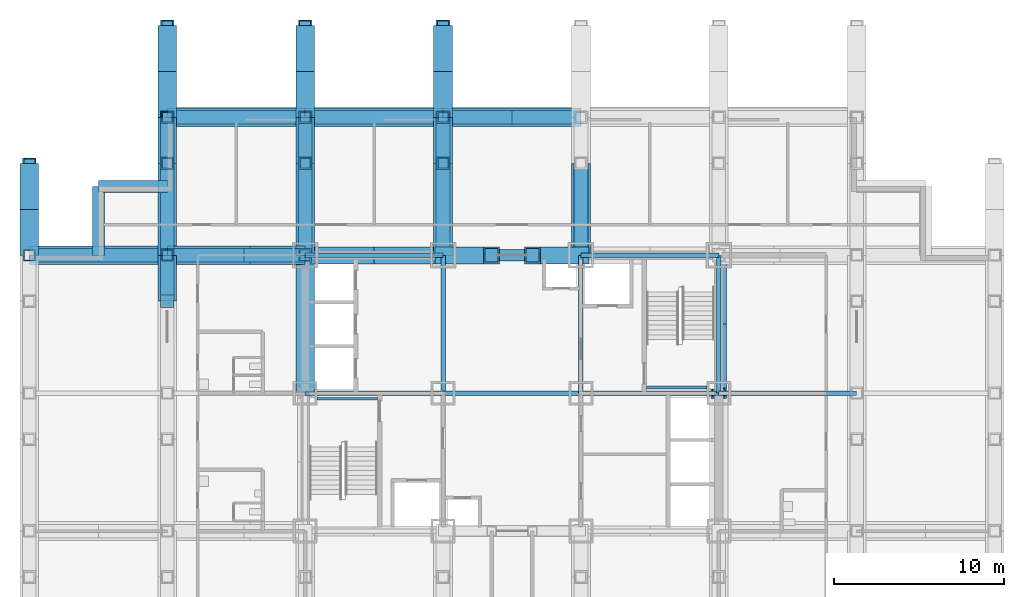
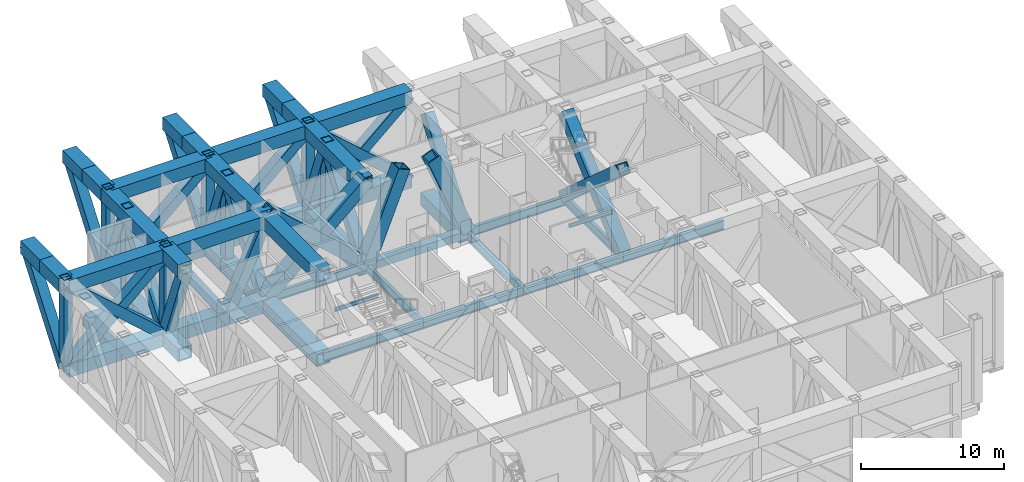
# One storey, part 5 of 13: 67 members, 14 beams.
"""IFC4 building model written with IfcOpenShell, lengths in metres."""

from ifc_helpers import new_model, si_unit, direction, frame, origin, origin_2d, place, context, subcontext, project, spatial, hollow_rectangle, i_section, extrude, material, material_profile, profile_set, type_object, element, save


model = new_model("IFC4")

# Units and contexts
model_context = context("Model", 3, precision=1e-05, world=origin(), true_north=direction((0.0, 1.0)))
body_context = subcontext(model_context, "Body", "Model", "MODEL_VIEW")
ifc_project = project(units=[si_unit("LENGTHUNIT", "METRE"), si_unit("AREAUNIT", "SQUARE_METRE"), si_unit("VOLUMEUNIT", "CUBIC_METRE"), si_unit("PLANEANGLEUNIT", "RADIAN"), si_unit("MASSUNIT", "GRAM", prefix="KILO")], contexts=[model_context])

# Site, building, storey
site_placement = place(None, origin())
site = spatial("IfcSite", under=ifc_project, at=site_placement, CompositionType="ELEMENT")
building_placement = place(site_placement, origin())
building = spatial("IfcBuilding", under=site, at=building_placement, Name="Kopane Lantern Tower", CompositionType="ELEMENT")
storey_placement = place(building_placement, frame((0.0, 0.0, 90.800048828125)))
storey = spatial("IfcBuildingStorey", under=building, at=storey_placement, Name="L23", CompositionType="ELEMENT", Elevation=90.800048828125)

# Members
ifc_material_1 = material(Name="Steel S355JR", Category="steel")
ifc_material_profile_1 = material_profile(ifc_material_1, hollow_rectangle(XDim=1.0, YDim=1.0, WallThickness=0.10009765625, at=origin_2d()), Name="BOX 1000x1000x100")
ifc_profile_set_1 = profile_set([ifc_material_profile_1], Name="Steel S355JR")
member_type_1 = type_object("IfcMemberType", Name="BRACE BOX 1000x1000x100", PredefinedType="BRACE", material=ifc_profile_set_1)
for number, where, z_axis, x_axis, name in (
    (1, (16.199951171875, 40.5, -0.25), (0.747415533118, 0.0, 0.664356847525), (0.0, 1.0, 0.0), "Core brace L23"),
    (2, (24.300048828125, 40.5, -0.25), (-0.747415533118, 0.0, 0.664356847525), (0.0, -1.0, 0.0), "Core brace L23"),
):
    element("IfcMember", number, at=place(storey_placement, frame(where, z_axis=z_axis, x_axis=x_axis)), inside=storey, type_object=member_type_1, Name=name, PredefinedType="BRACE", context=body_context, shape_type="SweptSolid", body=[
        extrude(hollow_rectangle(XDim=1.0, YDim=1.0, WallThickness=0.10009765625, at=origin_2d()), origin(), (0.0, 0.0, 1.0), 10.83740234375),
    ])
for number, where, z_axis, x_axis, name in (
    (3, (24.300048828125, 40.5, -0.25), (0.368034254187, 0.0, 0.929812232521), (0.0, 1.0, 0.0), "Core brace L23"),
    (4, (32.39990234375, 40.5, -0.25), (-0.368034254187, 0.0, 0.929812232521), (0.0, -1.0, 0.0), "Core brace L23"),
):
    element("IfcMember", number, at=place(storey_placement, frame(where, z_axis=z_axis, x_axis=x_axis)), inside=storey, type_object=member_type_1, Name=name, PredefinedType="BRACE", context=body_context, shape_type="SweptSolid", body=[
        extrude(hollow_rectangle(XDim=1.0, YDim=1.0, WallThickness=0.10009765625, at=origin_2d()), origin(), (0.0, 0.0, 1.0), 7.743408203125),
    ])
ifc_material_2 = material(Name="Steel S355JR", Category="steel")
ifc_material_profile_2 = material_profile(ifc_material_2, hollow_rectangle(XDim=0.89990234375, YDim=0.89990234375, WallThickness=0.090087890625, at=origin_2d()), Name="BOX 900x900x90")
ifc_profile_set_2 = profile_set([ifc_material_profile_2], Name="Steel S355JR")
member_type_2 = type_object("IfcMemberType", Name="BRACE BOX 900x900x90", PredefinedType="BRACE", material=ifc_profile_set_2)
for number, where, z_axis, x_axis, name in (
    (5, (40.5, 32.39990234375, -0.25), (0.0, 0.747415533118, 0.664356847525), (-1.0, 0.0, 0.0), "Core brace L23"),
    (6, (40.5, 40.5, -0.25), (0.0, -0.747415533118, 0.664356847525), (1.0, 0.0, 0.0), "Core brace L23"),
):
    element("IfcMember", number, at=place(storey_placement, frame(where, z_axis=z_axis, x_axis=x_axis)), inside=storey, type_object=member_type_2, Name=name, PredefinedType="BRACE", context=body_context, shape_type="SweptSolid", body=[
        extrude(hollow_rectangle(XDim=0.89990234375, YDim=0.89990234375, WallThickness=0.090087890625, at=origin_2d()), origin(), (0.0, 0.0, 1.0), 10.83740234375),
    ])

# Beams
ifc_material_3 = material(Name="Steel S355JR", Category="steel")
ifc_material_profile_3 = material_profile(ifc_material_3, i_section(OverallWidth=0.2666015625, OverallDepth=0.76220703125, WebThickness=0.014404296875, FlangeThickness=0.021484375, FilletRadius=0.0166015625, at=origin_2d()), Name="UB 762x267x173")
ifc_profile_set_3 = profile_set([ifc_material_profile_3], Name="Steel S355JR")
beam_type_1 = type_object("IfcBeamType", Name="CORE BEAM UB 762x267x173", PredefinedType="BEAM", material=ifc_profile_set_3)
for number, where, z_axis, x_axis, name in (
    (7, (16.199951171875, 32.39990234375, -0.631103515625), (1.0, 0.0, 0.0), (0.0, 1.0, 0.0), "Core Beam L23"),
    (8, (24.300048828125, 32.39990234375, -0.631103515625), (0.0, 1.0, 0.0), (-1.0, 0.0, 0.0), "Core Beam L23"),
):
    element("IfcBeam", number, at=place(storey_placement, frame(where, z_axis=z_axis, x_axis=x_axis)), inside=storey, type_object=beam_type_1, Name=name, PredefinedType="BEAM", context=body_context, shape_type="SweptSolid", body=[
        extrude(i_section(OverallWidth=0.2666015625, OverallDepth=0.76220703125, WebThickness=0.014404296875, FlangeThickness=0.021484375, FilletRadius=0.0166015625, at=origin_2d()), origin(), (0.0, 0.0, 1.0), 8.10009765625),
    ])
beam_1_placement = place(storey_placement, frame((24.300048828125, 32.39990234375, -0.631103515625), z_axis=(1.0, 0.0, 0.0), x_axis=(0.0, 1.0, 0.0)))
element("IfcBeam", 9, at=beam_1_placement, inside=storey, type_object=beam_type_1, Name="Core Beam L23", PredefinedType="BEAM", context=body_context, shape_type="SweptSolid", body=[
    extrude(i_section(OverallWidth=0.2666015625, OverallDepth=0.76220703125, WebThickness=0.014404296875, FlangeThickness=0.021484375, FilletRadius=0.0166015625, at=origin_2d()), origin(), (0.0, 0.0, 1.0), 8.099853515625),
])
for number, where, z_axis, x_axis, name in (
    (10, (32.39990234375, 32.39990234375, -0.631103515625), (0.0, 1.0, 0.0), (-1.0, 0.0, 0.0), "Core Beam L23"),
    (11, (32.39990234375, 32.39990234375, -0.631103515625), (1.0, 0.0, 0.0), (0.0, 1.0, 0.0), "Core Beam L23"),
):
    element("IfcBeam", number, at=place(storey_placement, frame(where, z_axis=z_axis, x_axis=x_axis)), inside=storey, type_object=beam_type_1, Name=name, PredefinedType="BEAM", context=body_context, shape_type="SweptSolid", body=[
        extrude(i_section(OverallWidth=0.2666015625, OverallDepth=0.76220703125, WebThickness=0.014404296875, FlangeThickness=0.021484375, FilletRadius=0.0166015625, at=origin_2d()), origin(), (0.0, 0.0, 1.0), 8.10009765625),
    ])
ifc_material_4 = material(Name="Steel S355JR", Category="steel")
ifc_material_profile_4 = material_profile(ifc_material_4, hollow_rectangle(XDim=0.699951171875, YDim=0.699951171875, WallThickness=0.06005859375, at=origin_2d()), Name="BOX 700x700x60")
ifc_profile_set_4 = profile_set([ifc_material_profile_4], Name="Steel S355JR")
beam_type_2 = type_object("IfcBeamType", Name="EDGE BEAM BOX 700x700x60", PredefinedType="BEAM", material=ifc_profile_set_4)
for number, where, z_axis, x_axis, name in (
    (12, (4.050048828125, 44.550048828125, -0.60009765625), (0.0, -1.0, 0.0), (1.0, 0.0, 0.0), "Edge Beam L23"),
    (13, (4.050048828125, 44.550048828125, -0.60009765625), (1.0, 0.0, 0.0), (0.0, 1.0, 0.0), "Edge Beam L23"),
):
    element("IfcBeam", number, at=place(storey_placement, frame(where, z_axis=z_axis, x_axis=x_axis)), inside=storey, type_object=beam_type_2, Name=name, PredefinedType="BEAM", context=body_context, shape_type="SweptSolid", body=[
        extrude(hollow_rectangle(XDim=0.699951171875, YDim=0.699951171875, WallThickness=0.06005859375, at=origin_2d()), origin(), (0.0, 0.0, 1.0), 4.050048828125),
    ])
ifc_material_5 = material(Name="Steel S355JR", Category="steel")
ifc_material_profile_5 = material_profile(ifc_material_5, i_section(OverallWidth=0.2666015625, OverallDepth=0.76220703125, WebThickness=0.014404296875, FlangeThickness=0.021484375, FilletRadius=0.0166015625, at=origin_2d()), Name="UB 762x267x173")
ifc_profile_set_5 = profile_set([ifc_material_profile_5], Name="Steel S355JR")
beam_type_3 = type_object("IfcBeamType", Name="GIRDER UB 762x267x173", PredefinedType="BEAM", material=ifc_profile_set_5)
for number, where, z_axis, x_axis, name in (
    (14, (16.199951171875, 40.5, -0.631103515625), (1.0, 0.0, 0.0), (0.0, 1.0, 0.0), "Girder L23"),
    (15, (32.39990234375, 40.5, -0.631103515625), (1.0, 0.0, 0.0), (0.0, 1.0, 0.0), "Girder L23"),
    (16, (40.5, 32.39990234375, -0.631103515625), (0.0, 1.0, 0.0), (-1.0, 0.0, 0.0), "Girder L23"),
    (17, (40.5, 32.39990234375, -0.631103515625), (1.0, 0.0, 0.0), (0.0, 1.0, 0.0), "Girder L23"),
):
    element("IfcBeam", number, at=place(storey_placement, frame(where, z_axis=z_axis, x_axis=x_axis)), inside=storey, type_object=beam_type_3, Name=name, PredefinedType="BEAM", context=body_context, shape_type="SweptSolid", body=[
        extrude(i_section(OverallWidth=0.2666015625, OverallDepth=0.76220703125, WebThickness=0.014404296875, FlangeThickness=0.021484375, FilletRadius=0.0166015625, at=origin_2d()), origin(), (0.0, 0.0, 1.0), 8.10009765625),
    ])
ifc_material_6 = material(Name="Steel S355JR", Category="steel")
ifc_material_profile_6 = material_profile(ifc_material_6, hollow_rectangle(XDim=0.64990234375, YDim=0.64990234375, WallThickness=0.070068359375, at=origin_2d()), Name="BOX 650x650x70")
ifc_profile_set_6 = profile_set([ifc_material_profile_6], Name="Steel S355JR")
beam_type_4 = type_object("IfcBeamType", Name="LINK BEAM BOX 650x650x70", PredefinedType="BEAM", material=ifc_profile_set_6)
beam_2_placement = place(storey_placement, frame((24.300048828125, 40.5, -0.574951171875), z_axis=(1.0, 0.0, 0.0), x_axis=(0.0, 1.0, 0.0)))
element("IfcBeam", 18, at=beam_2_placement, inside=storey, type_object=beam_type_4, Name="Link Beam L23", PredefinedType="BEAM", context=body_context, shape_type="SweptSolid", body=[
    extrude(hollow_rectangle(XDim=0.64990234375, YDim=0.64990234375, WallThickness=0.070068359375, at=origin_2d()), origin(), (0.0, 0.0, 1.0), 8.099853515625),
])
ifc_material_7 = material(Name="Steel S355JR", Category="steel")
ifc_material_profile_7 = material_profile(ifc_material_7, i_section(OverallWidth=0.1650390625, OverallDepth=0.303466796875, WebThickness=0.006103515625, FlangeThickness=0.01025390625, FilletRadius=0.0087890625, at=origin_2d()), Name="UB 305x165x40")
ifc_profile_set_7 = profile_set([ifc_material_profile_7], Name="Steel S355JR")
beam_type_5 = type_object("IfcBeamType", Name="STAIR LANDING BEAM UB 305x165x40", PredefinedType="BEAM", material=ifc_profile_set_7)
for number, where, z_axis, x_axis, name in (
    (19, (16.89990234375, 32.0673828125, 3.33203125), (1.0, 0.0, 0.0), (0.0, 1.0, 0.0), "Stair landing beam ST1 L23"),
    (20, (39.800048828125, 32.732421875, 3.33203125), (-1.0, 0.0, 0.0), (0.0, -1.0, 0.0), "Stair landing beam ST2 L23"),
):
    element("IfcBeam", number, at=place(storey_placement, frame(where, z_axis=z_axis, x_axis=x_axis)), inside=storey, type_object=beam_type_5, Name=name, PredefinedType="BEAM", context=body_context, shape_type="SweptSolid", body=[
        extrude(i_section(OverallWidth=0.1650390625, OverallDepth=0.303466796875, WebThickness=0.006103515625, FlangeThickness=0.01025390625, FilletRadius=0.0087890625, at=origin_2d()), origin(), (0.0, 0.0, 1.0), 3.550048828125),
    ])

# Members
ifc_material_8 = material(Name="Steel S355JR", Category="steel")
ifc_material_profile_8 = material_profile(ifc_material_8, hollow_rectangle(XDim=1.10009765625, YDim=1.10009765625, WallThickness=0.10009765625, at=origin_2d()), Name="BOX 1100x1100x100")
ifc_profile_set_8 = profile_set([ifc_material_profile_8], Name="Steel S355JR")
member_type_3 = type_object("IfcMemberType", Name="TRUSS CHORD BOX 1100x1100x100", PredefinedType="CHORD", material=ifc_profile_set_8)
for number, where, z_axis, x_axis, name in (
    (21, (0.0, 40.5, 6.39990234375), (0.0, 1.0, 0.0), (-1.0, 0.0, 0.0), "Transfer truss 2 L23 truss chord"),
    (22, (0.0, 43.199951171875, 6.39990234375), (0.0, 1.0, 0.0), (-1.0, 0.0, 0.0), "Transfer truss 2 L23 truss chord"),
    (23, (8.10009765625, 37.800048828125, -0.800048828125), (0.0, 1.0, 0.0), (-1.0, 0.0, 0.0), "Transfer truss 3 L23 truss chord"),
):
    element("IfcMember", number, at=place(storey_placement, frame(where, z_axis=z_axis, x_axis=x_axis)), inside=storey, type_object=member_type_3, Name=name, PredefinedType="CHORD", context=body_context, shape_type="SweptSolid", body=[
        extrude(hollow_rectangle(XDim=1.10009765625, YDim=1.10009765625, WallThickness=0.10009765625, at=origin_2d()), origin(), (0.0, 0.0, 1.0), 2.699951171875),
    ])
member_1_placement = place(storey_placement, frame((8.10009765625, 40.5, -0.800048828125), z_axis=(0.0, 1.0, 0.0), x_axis=(-1.0, 0.0, 0.0)))
element("IfcMember", 24, at=member_1_placement, inside=storey, type_object=member_type_3, Name="Transfer truss 3 L23 truss chord", PredefinedType="CHORD", context=body_context, shape_type="SweptSolid", body=[
    extrude(hollow_rectangle(XDim=1.10009765625, YDim=1.10009765625, WallThickness=0.10009765625, at=origin_2d()), origin(), (0.0, 0.0, 1.0), 5.39990234375),
])
member_2_placement = place(storey_placement, frame((8.10009765625, 45.89990234375, -0.800048828125), z_axis=(0.0, 1.0, 0.0), x_axis=(-1.0, 0.0, 0.0)))
element("IfcMember", 25, at=member_2_placement, inside=storey, type_object=member_type_3, Name="Transfer truss 3 L23 truss chord", PredefinedType="CHORD", context=body_context, shape_type="SweptSolid", body=[
    extrude(hollow_rectangle(XDim=1.10009765625, YDim=1.10009765625, WallThickness=0.10009765625, at=origin_2d()), origin(), (0.0, 0.0, 1.0), 2.7001953125),
])
member_3_placement = place(storey_placement, frame((8.10009765625, 37.800048828125, 6.39990234375), z_axis=(0.0, 1.0, 0.0), x_axis=(-1.0, 0.0, 0.0)))
element("IfcMember", 26, at=member_3_placement, inside=storey, type_object=member_type_3, Name="Transfer truss 3 L23 truss chord", PredefinedType="CHORD", context=body_context, shape_type="SweptSolid", body=[
    extrude(hollow_rectangle(XDim=1.10009765625, YDim=1.10009765625, WallThickness=0.10009765625, at=origin_2d()), origin(), (0.0, 0.0, 1.0), 2.699951171875),
])
member_4_placement = place(storey_placement, frame((8.10009765625, 40.5, 6.39990234375), z_axis=(0.0, 1.0, 0.0), x_axis=(-1.0, 0.0, 0.0)))
element("IfcMember", 27, at=member_4_placement, inside=storey, type_object=member_type_3, Name="Transfer truss 3 L23 truss chord", PredefinedType="CHORD", context=body_context, shape_type="SweptSolid", body=[
    extrude(hollow_rectangle(XDim=1.10009765625, YDim=1.10009765625, WallThickness=0.10009765625, at=origin_2d()), origin(), (0.0, 0.0, 1.0), 8.10009765625),
])
for number, where, z_axis, x_axis, name in (
    (28, (8.10009765625, 48.60009765625, 6.39990234375), (0.0, 1.0, 0.0), (-1.0, 0.0, 0.0), "Transfer truss 3 L23 truss chord"),
    (29, (8.10009765625, 51.300048828125, 6.39990234375), (0.0, 1.0, 0.0), (-1.0, 0.0, 0.0), "Transfer truss 3 L23 truss chord"),
):
    element("IfcMember", number, at=place(storey_placement, frame(where, z_axis=z_axis, x_axis=x_axis)), inside=storey, type_object=member_type_3, Name=name, PredefinedType="CHORD", context=body_context, shape_type="SweptSolid", body=[
        extrude(hollow_rectangle(XDim=1.10009765625, YDim=1.10009765625, WallThickness=0.10009765625, at=origin_2d()), origin(), (0.0, 0.0, 1.0), 2.699951171875),
    ])
member_5_placement = place(storey_placement, frame((16.199951171875, 32.39990234375, -0.800048828125), z_axis=(0.0, 1.0, 0.0), x_axis=(-1.0, 0.0, 0.0)))
element("IfcMember", 30, at=member_5_placement, inside=storey, type_object=member_type_3, Name="Transfer truss 4 L23 truss chord", PredefinedType="CHORD", context=body_context, shape_type="SweptSolid", body=[
    extrude(hollow_rectangle(XDim=1.10009765625, YDim=1.10009765625, WallThickness=0.10009765625, at=origin_2d()), origin(), (0.0, 0.0, 1.0), 8.10009765625),
])
member_6_placement = place(storey_placement, frame((16.199951171875, 40.5, -0.800048828125), z_axis=(0.0, 1.0, 0.0), x_axis=(-1.0, 0.0, 0.0)))
element("IfcMember", 31, at=member_6_placement, inside=storey, type_object=member_type_3, Name="Transfer truss 4 L23 truss chord", PredefinedType="CHORD", context=body_context, shape_type="SweptSolid", body=[
    extrude(hollow_rectangle(XDim=1.10009765625, YDim=1.10009765625, WallThickness=0.10009765625, at=origin_2d()), origin(), (0.0, 0.0, 1.0), 5.39990234375),
])
member_7_placement = place(storey_placement, frame((16.199951171875, 45.89990234375, -0.800048828125), z_axis=(0.0, 1.0, 0.0), x_axis=(-1.0, 0.0, 0.0)))
element("IfcMember", 32, at=member_7_placement, inside=storey, type_object=member_type_3, Name="Transfer truss 4 L23 truss chord", PredefinedType="CHORD", context=body_context, shape_type="SweptSolid", body=[
    extrude(hollow_rectangle(XDim=1.10009765625, YDim=1.10009765625, WallThickness=0.10009765625, at=origin_2d()), origin(), (0.0, 0.0, 1.0), 2.7001953125),
])
for number, where, z_axis, x_axis, name in (
    (33, (16.199951171875, 32.39990234375, 6.39990234375), (0.0, 1.0, 0.0), (-1.0, 0.0, 0.0), "Transfer truss 4 L23 truss chord"),
    (34, (16.199951171875, 40.5, 6.39990234375), (0.0, 1.0, 0.0), (-1.0, 0.0, 0.0), "Transfer truss 4 L23 truss chord"),
):
    element("IfcMember", number, at=place(storey_placement, frame(where, z_axis=z_axis, x_axis=x_axis)), inside=storey, type_object=member_type_3, Name=name, PredefinedType="CHORD", context=body_context, shape_type="SweptSolid", body=[
        extrude(hollow_rectangle(XDim=1.10009765625, YDim=1.10009765625, WallThickness=0.10009765625, at=origin_2d()), origin(), (0.0, 0.0, 1.0), 8.10009765625),
    ])
for number, where, z_axis, x_axis, name in (
    (35, (16.199951171875, 48.60009765625, 6.39990234375), (0.0, 1.0, 0.0), (-1.0, 0.0, 0.0), "Transfer truss 4 L23 truss chord"),
    (36, (16.199951171875, 51.300048828125, 6.39990234375), (0.0, 1.0, 0.0), (-1.0, 0.0, 0.0), "Transfer truss 4 L23 truss chord"),
):
    element("IfcMember", number, at=place(storey_placement, frame(where, z_axis=z_axis, x_axis=x_axis)), inside=storey, type_object=member_type_3, Name=name, PredefinedType="CHORD", context=body_context, shape_type="SweptSolid", body=[
        extrude(hollow_rectangle(XDim=1.10009765625, YDim=1.10009765625, WallThickness=0.10009765625, at=origin_2d()), origin(), (0.0, 0.0, 1.0), 2.699951171875),
    ])
member_8_placement = place(storey_placement, frame((24.300048828125, 40.5, -0.800048828125), z_axis=(0.0, 1.0, 0.0), x_axis=(-1.0, 0.0, 0.0)))
element("IfcMember", 37, at=member_8_placement, inside=storey, type_object=member_type_3, Name="Transfer truss 5 L23 truss chord", PredefinedType="CHORD", context=body_context, shape_type="SweptSolid", body=[
    extrude(hollow_rectangle(XDim=1.10009765625, YDim=1.10009765625, WallThickness=0.10009765625, at=origin_2d()), origin(), (0.0, 0.0, 1.0), 5.39990234375),
])
member_9_placement = place(storey_placement, frame((24.300048828125, 45.89990234375, -0.800048828125), z_axis=(0.0, 1.0, 0.0), x_axis=(-1.0, 0.0, 0.0)))
element("IfcMember", 38, at=member_9_placement, inside=storey, type_object=member_type_3, Name="Transfer truss 5 L23 truss chord", PredefinedType="CHORD", context=body_context, shape_type="SweptSolid", body=[
    extrude(hollow_rectangle(XDim=1.10009765625, YDim=1.10009765625, WallThickness=0.10009765625, at=origin_2d()), origin(), (0.0, 0.0, 1.0), 2.7001953125),
])
member_10_placement = place(storey_placement, frame((24.300048828125, 40.5, 6.39990234375), z_axis=(0.0, 1.0, 0.0), x_axis=(-1.0, 0.0, 0.0)))
element("IfcMember", 39, at=member_10_placement, inside=storey, type_object=member_type_3, Name="Transfer truss 5 L23 truss chord", PredefinedType="CHORD", context=body_context, shape_type="SweptSolid", body=[
    extrude(hollow_rectangle(XDim=1.10009765625, YDim=1.10009765625, WallThickness=0.10009765625, at=origin_2d()), origin(), (0.0, 0.0, 1.0), 8.10009765625),
])
for number, where, z_axis, x_axis, name in (
    (40, (24.300048828125, 48.60009765625, 6.39990234375), (0.0, 1.0, 0.0), (-1.0, 0.0, 0.0), "Transfer truss 5 L23 truss chord"),
    (41, (24.300048828125, 51.300048828125, 6.39990234375), (0.0, 1.0, 0.0), (-1.0, 0.0, 0.0), "Transfer truss 5 L23 truss chord"),
):
    element("IfcMember", number, at=place(storey_placement, frame(where, z_axis=z_axis, x_axis=x_axis)), inside=storey, type_object=member_type_3, Name=name, PredefinedType="CHORD", context=body_context, shape_type="SweptSolid", body=[
        extrude(hollow_rectangle(XDim=1.10009765625, YDim=1.10009765625, WallThickness=0.10009765625, at=origin_2d()), origin(), (0.0, 0.0, 1.0), 2.699951171875),
    ])
member_11_placement = place(storey_placement, frame((32.39990234375, 40.5, -0.800048828125), z_axis=(0.0, 1.0, 0.0), x_axis=(-1.0, 0.0, 0.0)))
element("IfcMember", 42, at=member_11_placement, inside=storey, type_object=member_type_3, Name="Transfer truss 6 L23 truss chord", PredefinedType="CHORD", context=body_context, shape_type="SweptSolid", body=[
    extrude(hollow_rectangle(XDim=1.10009765625, YDim=1.10009765625, WallThickness=0.10009765625, at=origin_2d()), origin(), (0.0, 0.0, 1.0), 5.39990234375),
])
for number, where, z_axis, x_axis, name in (
    (43, (8.10009765625, 48.60009765625, -0.800048828125), (1.0, 0.0, 0.0), (0.0, 1.0, 0.0), "Belt truss N L23 truss chord"),
    (44, (8.10009765625, 48.60009765625, 6.39990234375), (1.0, 0.0, 0.0), (0.0, 1.0, 0.0), "Belt truss N L23 truss chord"),
):
    element("IfcMember", number, at=place(storey_placement, frame(where, z_axis=z_axis, x_axis=x_axis)), inside=storey, type_object=member_type_3, Name=name, PredefinedType="CHORD", context=body_context, shape_type="SweptSolid", body=[
        extrude(hollow_rectangle(XDim=1.10009765625, YDim=1.10009765625, WallThickness=0.10009765625, at=origin_2d()), origin(), (0.0, 0.0, 1.0), 8.099853515625),
    ])
for number, where, z_axis, x_axis, name in (
    (45, (16.199951171875, 48.60009765625, -0.800048828125), (1.0, 0.0, 0.0), (0.0, 1.0, 0.0), "Belt truss N L23 truss chord"),
    (46, (16.199951171875, 48.60009765625, 6.39990234375), (1.0, 0.0, 0.0), (0.0, 1.0, 0.0), "Belt truss N L23 truss chord"),
):
    element("IfcMember", number, at=place(storey_placement, frame(where, z_axis=z_axis, x_axis=x_axis)), inside=storey, type_object=member_type_3, Name=name, PredefinedType="CHORD", context=body_context, shape_type="SweptSolid", body=[
        extrude(hollow_rectangle(XDim=1.10009765625, YDim=1.10009765625, WallThickness=0.10009765625, at=origin_2d()), origin(), (0.0, 0.0, 1.0), 8.10009765625),
    ])
for number, where, z_axis, x_axis, name in (
    (47, (24.300048828125, 48.60009765625, -0.800048828125), (1.0, 0.0, 0.0), (0.0, 1.0, 0.0), "Belt truss N L23 truss chord"),
    (48, (24.300048828125, 48.60009765625, 6.39990234375), (1.0, 0.0, 0.0), (0.0, 1.0, 0.0), "Belt truss N L23 truss chord"),
):
    element("IfcMember", number, at=place(storey_placement, frame(where, z_axis=z_axis, x_axis=x_axis)), inside=storey, type_object=member_type_3, Name=name, PredefinedType="CHORD", context=body_context, shape_type="SweptSolid", body=[
        extrude(hollow_rectangle(XDim=1.10009765625, YDim=1.10009765625, WallThickness=0.10009765625, at=origin_2d()), origin(), (0.0, 0.0, 1.0), 8.099853515625),
    ])
for number, where, z_axis, x_axis, name in (
    (49, (0.0, 40.5, -0.800048828125), (1.0, 0.0, 0.0), (0.0, 1.0, 0.0), "Outrigger truss W40.5 L23 truss chord"),
    (50, (0.0, 40.5, 6.39990234375), (1.0, 0.0, 0.0), (0.0, 1.0, 0.0), "Outrigger truss W40.5 L23 truss chord"),
):
    element("IfcMember", number, at=place(storey_placement, frame(where, z_axis=z_axis, x_axis=x_axis)), inside=storey, type_object=member_type_3, Name=name, PredefinedType="CHORD", context=body_context, shape_type="SweptSolid", body=[
        extrude(hollow_rectangle(XDim=1.10009765625, YDim=1.10009765625, WallThickness=0.10009765625, at=origin_2d()), origin(), (0.0, 0.0, 1.0), 8.10009765625),
    ])
member_12_placement = place(storey_placement, frame((8.10009765625, 40.5, -0.800048828125), z_axis=(1.0, 0.0, 0.0), x_axis=(0.0, 1.0, 0.0)))
element("IfcMember", 51, at=member_12_placement, inside=storey, type_object=member_type_3, Name="Outrigger truss W40.5 L23 truss chord", PredefinedType="CHORD", context=body_context, shape_type="SweptSolid", body=[
    extrude(hollow_rectangle(XDim=1.10009765625, YDim=1.10009765625, WallThickness=0.10009765625, at=origin_2d()), origin(), (0.0, 0.0, 1.0), 4.85986328125),
])
member_13_placement = place(storey_placement, frame((12.9599609375, 40.5, -0.800048828125), z_axis=(1.0, 0.0, 0.0), x_axis=(0.0, 1.0, 0.0)))
element("IfcMember", 52, at=member_13_placement, inside=storey, type_object=member_type_3, Name="Outrigger truss W40.5 L23 truss chord", PredefinedType="CHORD", context=body_context, shape_type="SweptSolid", body=[
    extrude(hollow_rectangle(XDim=1.10009765625, YDim=1.10009765625, WallThickness=0.10009765625, at=origin_2d()), origin(), (0.0, 0.0, 1.0), 3.239990234375),
])
member_14_placement = place(storey_placement, frame((8.10009765625, 40.5, 6.39990234375), z_axis=(1.0, 0.0, 0.0), x_axis=(0.0, 1.0, 0.0)))
element("IfcMember", 53, at=member_14_placement, inside=storey, type_object=member_type_3, Name="Outrigger truss W40.5 L23 truss chord", PredefinedType="CHORD", context=body_context, shape_type="SweptSolid", body=[
    extrude(hollow_rectangle(XDim=1.10009765625, YDim=1.10009765625, WallThickness=0.10009765625, at=origin_2d()), origin(), (0.0, 0.0, 1.0), 8.099853515625),
])
ifc_material_9 = material(Name="Steel S355JR", Category="steel")
ifc_material_profile_9 = material_profile(ifc_material_9, hollow_rectangle(XDim=0.800048828125, YDim=0.800048828125, WallThickness=0.080078125, at=origin_2d()), Name="BOX 800x800x80")
ifc_profile_set_9 = profile_set([ifc_material_profile_9], Name="Steel S355JR")
member_type_4 = type_object("IfcMemberType", Name="TRUSS DIAGONAL BOX 800x800x80", PredefinedType="BRACE", material=ifc_profile_set_9)
member_15_placement = place(storey_placement, frame((0.0, 40.5, -0.800048828125), z_axis=(0.0, 0.599995659666, 0.800003255232), x_axis=(-1.0, 0.0, 0.0)))
element("IfcMember", 54, at=member_15_placement, inside=storey, type_object=member_type_4, Name="Transfer truss 2 L23 truss diagonal", PredefinedType="BRACE", context=body_context, shape_type="SweptSolid", body=[
    extrude(hollow_rectangle(XDim=0.800048828125, YDim=0.800048828125, WallThickness=0.080078125, at=origin_2d()), origin(), (0.0, 0.0, 1.0), 9.0),
])
member_16_placement = place(storey_placement, frame((8.10009765625, 40.5, -0.800048828125), z_axis=(0.0, -0.351119962166, 0.936330482345), x_axis=(1.0, 0.0, 0.0)))
element("IfcMember", 55, at=member_16_placement, inside=storey, type_object=member_type_4, Name="Transfer truss 3 L23 truss diagonal", PredefinedType="BRACE", context=body_context, shape_type="SweptSolid", body=[
    extrude(hollow_rectangle(XDim=0.800048828125, YDim=0.800048828125, WallThickness=0.080078125, at=origin_2d()), origin(), (0.0, 0.0, 1.0), 7.689453125),
])
member_17_placement = place(storey_placement, frame((8.10009765625, 40.5, -0.800048828125), z_axis=(0.0, 0.599995659666, 0.800003255232), x_axis=(-1.0, 0.0, 0.0)))
element("IfcMember", 56, at=member_17_placement, inside=storey, type_object=member_type_4, Name="Transfer truss 3 L23 truss diagonal", PredefinedType="BRACE", context=body_context, shape_type="SweptSolid", body=[
    extrude(hollow_rectangle(XDim=0.800048828125, YDim=0.800048828125, WallThickness=0.080078125, at=origin_2d()), origin(), (0.0, 0.0, 1.0), 9.0),
])
member_18_placement = place(storey_placement, frame((8.10009765625, 48.60009765625, -0.800048828125), z_axis=(0.0, -0.351147797134, 0.936320043878), x_axis=(1.0, 0.0, 0.0)))
element("IfcMember", 57, at=member_18_placement, inside=storey, type_object=member_type_4, Name="Transfer truss 3 L23 truss diagonal", PredefinedType="BRACE", context=body_context, shape_type="SweptSolid", body=[
    extrude(hollow_rectangle(XDim=0.800048828125, YDim=0.800048828125, WallThickness=0.080078125, at=origin_2d()), origin(), (0.0, 0.0, 1.0), 7.689697265625),
])
for number, where, z_axis, x_axis, name in (
    (58, (8.10009765625, 48.60009765625, -0.800048828125), (0.0, 0.599995659666, 0.800003255232), (-1.0, 0.0, 0.0), "Transfer truss 3 L23 truss diagonal"),
    (59, (16.199951171875, 40.5, -0.800048828125), (0.0, 0.599995659666, 0.800003255232), (-1.0, 0.0, 0.0), "Transfer truss 4 L23 truss diagonal"),
):
    element("IfcMember", number, at=place(storey_placement, frame(where, z_axis=z_axis, x_axis=x_axis)), inside=storey, type_object=member_type_4, Name=name, PredefinedType="BRACE", context=body_context, shape_type="SweptSolid", body=[
        extrude(hollow_rectangle(XDim=0.800048828125, YDim=0.800048828125, WallThickness=0.080078125, at=origin_2d()), origin(), (0.0, 0.0, 1.0), 9.0),
    ])
member_19_placement = place(storey_placement, frame((16.199951171875, 48.60009765625, -0.800048828125), z_axis=(0.0, -0.351147797134, 0.936320043878), x_axis=(1.0, 0.0, 0.0)))
element("IfcMember", 60, at=member_19_placement, inside=storey, type_object=member_type_4, Name="Transfer truss 4 L23 truss diagonal", PredefinedType="BRACE", context=body_context, shape_type="SweptSolid", body=[
    extrude(hollow_rectangle(XDim=0.800048828125, YDim=0.800048828125, WallThickness=0.080078125, at=origin_2d()), origin(), (0.0, 0.0, 1.0), 7.689697265625),
])
for number, where, z_axis, x_axis, name in (
    (61, (16.199951171875, 48.60009765625, -0.800048828125), (0.0, 0.599995659666, 0.800003255232), (-1.0, 0.0, 0.0), "Transfer truss 4 L23 truss diagonal"),
    (62, (24.300048828125, 40.5, -0.800048828125), (0.0, 0.599995659666, 0.800003255232), (-1.0, 0.0, 0.0), "Transfer truss 5 L23 truss diagonal"),
):
    element("IfcMember", number, at=place(storey_placement, frame(where, z_axis=z_axis, x_axis=x_axis)), inside=storey, type_object=member_type_4, Name=name, PredefinedType="BRACE", context=body_context, shape_type="SweptSolid", body=[
        extrude(hollow_rectangle(XDim=0.800048828125, YDim=0.800048828125, WallThickness=0.080078125, at=origin_2d()), origin(), (0.0, 0.0, 1.0), 9.0),
    ])
member_20_placement = place(storey_placement, frame((24.300048828125, 48.60009765625, -0.800048828125), z_axis=(0.0, -0.351147797134, 0.936320043878), x_axis=(1.0, 0.0, 0.0)))
element("IfcMember", 63, at=member_20_placement, inside=storey, type_object=member_type_4, Name="Transfer truss 5 L23 truss diagonal", PredefinedType="BRACE", context=body_context, shape_type="SweptSolid", body=[
    extrude(hollow_rectangle(XDim=0.800048828125, YDim=0.800048828125, WallThickness=0.080078125, at=origin_2d()), origin(), (0.0, 0.0, 1.0), 7.689697265625),
])
for number, where, z_axis, x_axis, name in (
    (64, (24.300048828125, 48.60009765625, -0.800048828125), (0.0, 0.599995659666, 0.800003255232), (-1.0, 0.0, 0.0), "Transfer truss 5 L23 truss diagonal"),
    (65, (32.39990234375, 40.5, -0.800048828125), (0.0, 0.599995659666, 0.800003255232), (-1.0, 0.0, 0.0), "Transfer truss 6 L23 truss diagonal"),
):
    element("IfcMember", number, at=place(storey_placement, frame(where, z_axis=z_axis, x_axis=x_axis)), inside=storey, type_object=member_type_4, Name=name, PredefinedType="BRACE", context=body_context, shape_type="SweptSolid", body=[
        extrude(hollow_rectangle(XDim=0.800048828125, YDim=0.800048828125, WallThickness=0.080078125, at=origin_2d()), origin(), (0.0, 0.0, 1.0), 9.0),
    ])
for number, where, z_axis, x_axis, name in (
    (66, (8.10009765625, 48.60009765625, -0.800048828125), (0.747405589929, 0.0, 0.664368033655), (0.0, 1.0, 0.0), "Belt truss N L23 truss diagonal"),
    (67, (16.199951171875, 48.60009765625, -0.800048828125), (0.747415533118, 0.0, 0.664356847525), (0.0, 1.0, 0.0), "Belt truss N L23 truss diagonal"),
    (68, (24.300048828125, 48.60009765625, -0.800048828125), (0.747405589929, 0.0, 0.664368033655), (0.0, 1.0, 0.0), "Belt truss N L23 truss diagonal"),
    (69, (32.39990234375, 48.60009765625, -0.800048828125), (-0.747405589929, 0.0, 0.664368033655), (0.0, -1.0, 0.0), "Belt truss N L23 truss diagonal"),
    (70, (0.0, 40.5, -0.800048828125), (0.747415533118, 0.0, 0.664356847525), (0.0, 1.0, 0.0), "Outrigger truss W40.5 L23 truss diagonal"),
    (71, (8.10009765625, 40.5, -0.800048828125), (-0.747415533118, 0.0, 0.664356847525), (0.0, -1.0, 0.0), "Outrigger truss W40.5 L23 truss diagonal"),
):
    element("IfcMember", number, at=place(storey_placement, frame(where, z_axis=z_axis, x_axis=x_axis)), inside=storey, type_object=member_type_4, Name=name, PredefinedType="BRACE", context=body_context, shape_type="SweptSolid", body=[
        extrude(hollow_rectangle(XDim=0.800048828125, YDim=0.800048828125, WallThickness=0.080078125, at=origin_2d()), origin(), (0.0, 0.0, 1.0), 10.83740234375),
    ])
member_21_placement = place(storey_placement, frame((8.10009765625, 40.5, 6.39990234375), z_axis=(0.559464649039, 0.0, -0.828854213041), x_axis=(0.0, 1.0, 0.0)))
element("IfcMember", 72, at=member_21_placement, inside=storey, type_object=member_type_4, Name="Outrigger truss W40.5 L23 truss diagonal", PredefinedType="BRACE", context=body_context, shape_type="SweptSolid", body=[
    extrude(hollow_rectangle(XDim=0.800048828125, YDim=0.800048828125, WallThickness=0.080078125, at=origin_2d()), origin(), (0.0, 0.0, 1.0), 8.6865234375),
])
member_22_placement = place(storey_placement, frame((16.199951171875, 40.5, 6.39990234375), z_axis=(-0.410365963067, 0.0, -0.911920926592), x_axis=(0.0, -1.0, 0.0)))
element("IfcMember", 73, at=member_22_placement, inside=storey, type_object=member_type_4, Name="Outrigger truss W40.5 L23 truss diagonal", PredefinedType="BRACE", context=body_context, shape_type="SweptSolid", body=[
    extrude(hollow_rectangle(XDim=0.800048828125, YDim=0.800048828125, WallThickness=0.080078125, at=origin_2d()), origin(), (0.0, 0.0, 1.0), 7.895263671875),
])
ifc_material_10 = material(Name="Steel S355JR", Category="steel")
ifc_material_profile_10 = material_profile(ifc_material_10, hollow_rectangle(XDim=0.699951171875, YDim=0.699951171875, WallThickness=0.070068359375, at=origin_2d()), Name="BOX 700x700x70")
ifc_profile_set_10 = profile_set([ifc_material_profile_10], Name="Steel S355JR")
member_type_5 = type_object("IfcMemberType", Name="TRUSS POST BOX 700x700x70", PredefinedType="POST", material=ifc_profile_set_10)
for number, where, z_axis, x_axis, name in (
    (74, (0.0, 40.5, -0.800048828125), (0.0, 0.0, 1.0), (1.0, 0.0, 0.0), "Transfer truss 2 L23 truss post"),
    (75, (8.10009765625, 40.5, -0.800048828125), (0.0, 0.0, 1.0), (1.0, 0.0, 0.0), "Transfer truss 3 L23 truss post"),
    (76, (8.10009765625, 45.89990234375, -0.800048828125), (0.0, 0.0, 1.0), (1.0, 0.0, 0.0), "Transfer truss 3 L23 truss post"),
    (77, (8.10009765625, 48.60009765625, -0.800048828125), (0.0, 0.0, 1.0), (1.0, 0.0, 0.0), "Transfer truss 3 L23 truss post"),
    (78, (16.199951171875, 45.89990234375, -0.800048828125), (0.0, 0.0, 1.0), (1.0, 0.0, 0.0), "Transfer truss 4 L23 truss post"),
    (79, (16.199951171875, 48.60009765625, -0.800048828125), (0.0, 0.0, 1.0), (1.0, 0.0, 0.0), "Transfer truss 4 L23 truss post"),
    (80, (24.300048828125, 45.89990234375, -0.800048828125), (0.0, 0.0, 1.0), (1.0, 0.0, 0.0), "Transfer truss 5 L23 truss post"),
    (81, (24.300048828125, 48.60009765625, -0.800048828125), (0.0, 0.0, 1.0), (1.0, 0.0, 0.0), "Transfer truss 5 L23 truss post"),
):
    element("IfcMember", number, at=place(storey_placement, frame(where, z_axis=z_axis, x_axis=x_axis)), inside=storey, type_object=member_type_5, Name=name, PredefinedType="POST", context=body_context, shape_type="SweptSolid", body=[
        extrude(hollow_rectangle(XDim=0.699951171875, YDim=0.699951171875, WallThickness=0.070068359375, at=origin_2d()), origin(), (0.0, 0.0, 1.0), 7.75),
    ])

save(model, "model.ifc")
